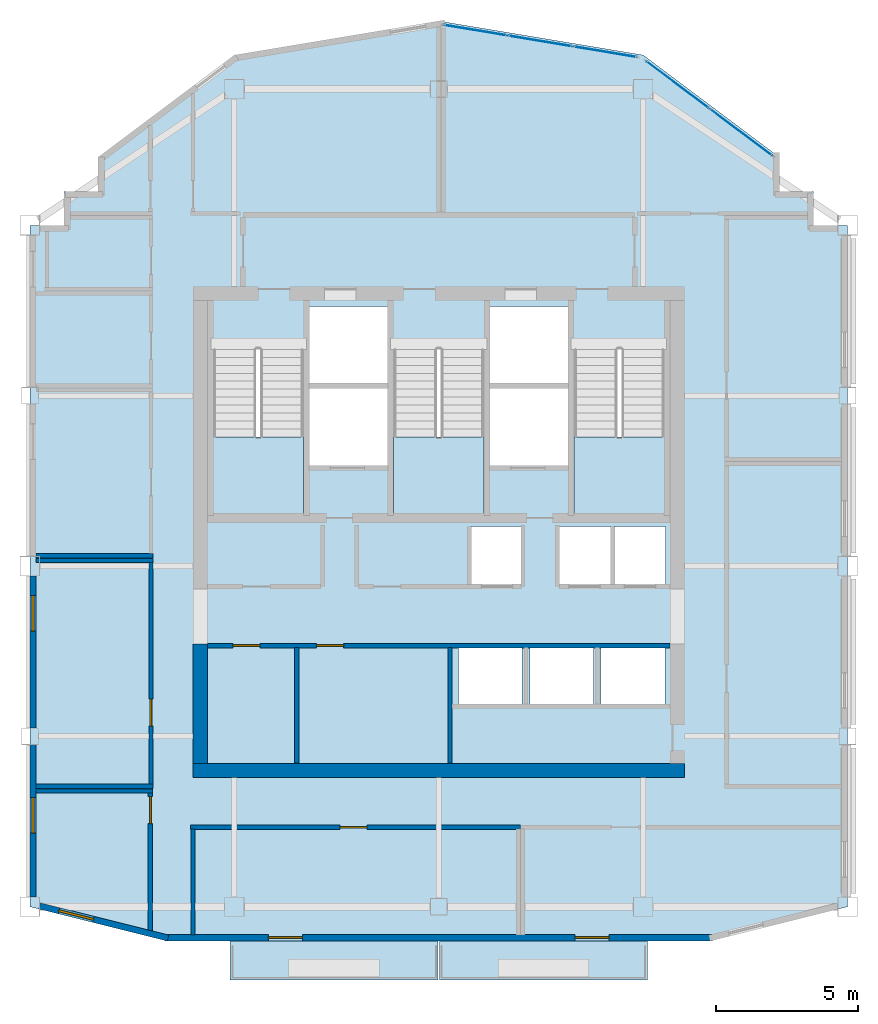
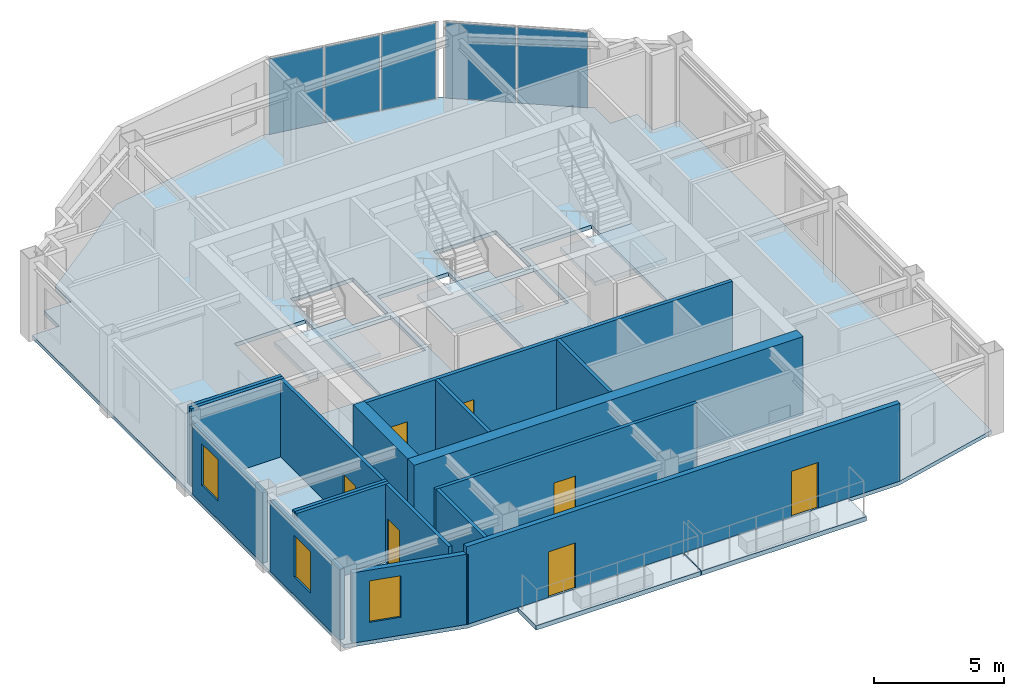
# One storey, part 4 of 8: 17 walls, 7 doors, 6 slabs, 5 plates, 3 windows, 10 openings, 5 elements without a shape of their own.
"""IFC4 building model written with IfcOpenShell, lengths in metres."""

from ifc_helpers import new_model, si_unit, direction, frame, frame_2d, origin, origin_2d, place, context, subcontext, project, spatial, polyline, rectangle, outline, extrude, material, layer, layer_set, type_object, element, fill, aggregate, save


model = new_model("IFC4")

# Units and contexts
model_context = context("Model", 3, precision=1e-05, world=origin(), true_north=direction((0.0, 1.0)))
body_context = subcontext(model_context, "Body", "Model", "MODEL_VIEW")
ifc_project = project(units=[si_unit("LENGTHUNIT", "METRE"), si_unit("AREAUNIT", "SQUARE_METRE"), si_unit("VOLUMEUNIT", "CUBIC_METRE"), si_unit("PLANEANGLEUNIT", "RADIAN"), si_unit("MASSUNIT", "GRAM", prefix="KILO")], contexts=[model_context])

# Site, building, storey
site_placement = place(None, origin())
site = spatial("IfcSite", under=ifc_project, at=site_placement, CompositionType="ELEMENT")
building_placement = place(site_placement, origin())
building = spatial("IfcBuilding", under=site, at=building_placement, Name="Haolan Belvedere Tower", CompositionType="ELEMENT")
storey_placement = place(building_placement, frame((0.0, 0.0, 309.5)))
storey = spatial("IfcBuildingStorey", under=building, at=storey_placement, Name="L78", CompositionType="ELEMENT", Elevation=309.5)

# Curtain wall, plates
ifc_material_1 = material(Name="Anodised champagne-silver aluminium 6063-T6 and Low-E glass", Category="aluminium")
ifc_layer_1 = layer(ifc_material_1, 0.14501953125, Name="Anodised champagne-silver aluminium 6063-T6 and Low-E glass")
ifc_layer_set_1 = layer_set([ifc_layer_1], Name="Anodised champagne-silver aluminium 6063-T6 and Low-E glass")
curtain_wall_type = type_object("IfcCurtainWallType", Name="CW-SYS-05", PredefinedType="NOTDEFINED", material=ifc_layer_set_1)
curtain_wall_1_placement = place(storey_placement, origin())
curtain_wall_1 = element("IfcCurtainWall", 1, at=curtain_wall_1_placement, inside=storey, type_object=curtain_wall_type, Name="L78 CW-SYS-05 ribbon curtain wall 8.1", PredefinedType="NOTDEFINED")
ifc_material_2 = material(Name="Double silver Low-E laminated insulating glass", Category="glass")
ifc_layer_2 = layer(ifc_material_2, 0.02197265625, Name="Double silver Low-E laminated insulating glass")
ifc_layer_set_2 = layer_set([ifc_layer_2], Name="Double silver Low-E laminated insulating glass")
plate_type = type_object("IfcPlateType", Name="CW-SYS-05-PNL", PredefinedType="CURTAIN_PANEL", material=ifc_layer_set_2)
plate_1_placement = place(storey_placement, frame((49.03955078125, 48.8828125, 0.050048828125), z_axis=(0.0, 0.0, 1.0), x_axis=(-0.799997871638, 0.600002837806, 0.0)))
plate_1 = element("IfcPlate", 2, at=plate_1_placement, type_object=plate_type, Name="CW-05 panel 1.1", PredefinedType="CURTAIN_PANEL", context=body_context, shape_type="SweptSolid", body=[
    extrude(rectangle(XDim=2.738037109375, YDim=0.02197265625, at=origin_2d()), origin(), (0.0, 0.0, 1.0), 3.56005859375),
])
plate_2_placement = place(storey_placement, frame((46.805908203125, 50.55810546875, 0.050048828125), z_axis=(0.0, 0.0, 1.0), x_axis=(-0.799997871638, 0.600002837806, 0.0)))
plate_2 = element("IfcPlate", 3, at=plate_2_placement, type_object=plate_type, Name="CW-05 panel 2.1", PredefinedType="CURTAIN_PANEL", context=body_context, shape_type="SweptSolid", body=[
    extrude(rectangle(XDim=2.738037109375, YDim=0.02197265625, at=origin_2d()), origin(), (0.0, 0.0, 1.0), 3.56005859375),
])
aggregate(curtain_wall_1, [plate_1, plate_2])

curtain_wall_2_placement = place(storey_placement, origin())
curtain_wall_2 = element("IfcCurtainWall", 4, at=curtain_wall_2_placement, inside=storey, type_object=curtain_wall_type, Name="L78 CW-SYS-05 ribbon curtain wall 9.1", PredefinedType="NOTDEFINED")
plate_3_placement = place(storey_placement, frame((44.257568359375, 51.712158203125, 0.050048828125), z_axis=(0.0, 0.0, 1.0), x_axis=(-0.98639276122, 0.164405962825, 0.0)))
plate_3 = element("IfcPlate", 5, at=plate_3_placement, type_object=plate_type, Name="CW-05 panel 1.1", PredefinedType="CURTAIN_PANEL", context=body_context, shape_type="SweptSolid", body=[
    extrude(rectangle(XDim=2.24365234375, YDim=0.02197265625, at=origin_2d()), origin(), (0.0, 0.0, 1.0), 3.56005859375),
])
plate_4_placement = place(storey_placement, frame((41.977783203125, 52.09228515625, 0.050048828125), z_axis=(0.0, 0.0, 1.0), x_axis=(-0.98639276122, 0.164405962825, 0.0)))
plate_4 = element("IfcPlate", 6, at=plate_4_placement, type_object=plate_type, Name="CW-05 panel 2.1", PredefinedType="CURTAIN_PANEL", context=body_context, shape_type="SweptSolid", body=[
    extrude(rectangle(XDim=2.270751953125, YDim=0.02197265625, at=origin_2d()), origin(), (0.0, 0.0, 1.0), 3.56005859375),
])
plate_5_placement = place(storey_placement, frame((39.697998046875, 52.47216796875, 0.050048828125), z_axis=(0.0, 0.0, 1.0), x_axis=(-0.98639276122, 0.164405962825, 0.0)))
plate_5 = element("IfcPlate", 7, at=plate_5_placement, type_object=plate_type, Name="CW-05 panel 3.1", PredefinedType="CURTAIN_PANEL", context=body_context, shape_type="SweptSolid", body=[
    extrude(rectangle(XDim=2.24365234375, YDim=0.02197265625, at=origin_2d()), origin(), (0.0, 0.0, 1.0), 3.56005859375),
])
aggregate(curtain_wall_2, [plate_3, plate_4, plate_5])

# Slabs
ifc_material_3 = material(Name="Concrete C40/50", Category="concrete")
ifc_layer_3 = layer(ifc_material_3, 0.2099609375, Name="Concrete C40/50")
ifc_layer_set_3 = layer_set([ifc_layer_3], Name="Concrete C40/50")
slab_type_1 = type_object("IfcSlabType", Name="SL-BAL-210", PredefinedType="FLOOR", material=ifc_layer_set_3)
slab_1_placement = place(storey_placement, frame((0.0, 0.0, -0.22998046875)))
element("IfcSlab", 8, at=slab_1_placement, inside=storey, type_object=slab_type_1, Name="L78 structural tree-planter balcony slab BAL-L78-S1", PredefinedType="FLOOR", context=body_context, shape_type="SweptSolid", body=[
    extrude(outline(polyline([(31.050048828125, 19.02001953125), (38.3798828125, 19.02001953125), (38.3798828125, 20.39990234375), (31.050048828125, 20.39990234375), (31.050048828125, 19.02001953125)])), origin(), (0.0, 0.0, 1.0), 0.2099609375),
])
slab_2_placement = place(storey_placement, frame((0.0, 0.0, -0.22998046875)))
element("IfcSlab", 9, at=slab_2_placement, inside=storey, type_object=slab_type_1, Name="L78 structural tree-planter balcony slab BAL-L78-S2", PredefinedType="FLOOR", context=body_context, shape_type="SweptSolid", body=[
    extrude(outline(polyline([(38.419921875, 19.02001953125), (45.75, 19.02001953125), (45.75, 20.39990234375), (38.419921875, 20.39990234375), (38.419921875, 19.02001953125)])), origin(), (0.0, 0.0, 1.0), 0.2099609375),
])
ifc_layer_4 = layer(ifc_material_3, 0.179931640625, Name="Concrete C40/50")
ifc_layer_set_4 = layer_set([ifc_layer_4], Name="Concrete C40/50")
slab_type_2 = type_object("IfcSlabType", Name="SL-FLR-180", PredefinedType="FLOOR", material=ifc_layer_set_4)
slab_3_placement = place(storey_placement, frame((0.0, 0.0, -0.179931640625)))
element("IfcSlab", 10, at=slab_3_placement, inside=storey, type_object=slab_type_2, Name="L78 structural floor slab", PredefinedType="FLOOR", context=body_context, shape_type="SweptSolid", body=[
    extrude(outline(polyline([(24.0, 21.60009765625), (28.800048828125, 20.39990234375), (48.0, 20.39990234375), (52.800048828125, 21.60009765625), (52.800048828125, 45.60009765625), (52.800048828125, 45.60009765625), (51.60009765625, 45.60009765625), (51.60009765625, 46.800048828125), (50.39990234375, 46.800048828125), (50.39990234375, 48.0), (45.60009765625, 51.60009765625), (38.39990234375, 52.800048828125), (31.199951171875, 51.60009765625), (26.39990234375, 48.0), (26.39990234375, 46.800048828125), (25.199951171875, 46.800048828125), (25.199951171875, 45.60009765625), (24.0, 45.60009765625), (24.0, 45.60009765625), (24.0, 21.60009765625)]), holes=[polyline([(30.449951171875, 41.22998046875), (30.449951171875, 35.449951171875), (33.6298828125, 35.449951171875), (33.6298828125, 41.22998046875), (30.449951171875, 41.22998046875)]), polyline([(36.81005859375, 41.22998046875), (36.81005859375, 35.449951171875), (39.989990234375, 35.449951171875), (39.989990234375, 41.22998046875), (36.81005859375, 41.22998046875)]), polyline([(43.169921875, 41.22998046875), (43.169921875, 35.449951171875), (46.35009765625, 35.449951171875), (46.35009765625, 41.22998046875), (43.169921875, 41.22998046875)]), polyline([(33.830078125, 40.050048828125), (36.610107421875, 40.050048828125), (36.610107421875, 42.75), (33.830078125, 42.75), (33.830078125, 40.050048828125)]), polyline([(33.830078125, 37.14990234375), (36.610107421875, 37.14990234375), (36.610107421875, 39.85009765625), (33.830078125, 39.85009765625), (33.830078125, 37.14990234375)]), polyline([(40.18994140625, 40.050048828125), (42.969970703125, 40.050048828125), (42.969970703125, 42.75), (40.18994140625, 42.75), (40.18994140625, 40.050048828125)]), polyline([(40.18994140625, 37.14990234375), (42.969970703125, 37.14990234375), (42.969970703125, 39.85009765625), (40.18994140625, 39.85009765625), (40.18994140625, 37.14990234375)]), polyline([(39.5400390625, 32.949951171875), (41.389892578125, 32.949951171875), (41.389892578125, 35.0), (39.5400390625, 35.0), (39.5400390625, 32.949951171875)]), polyline([(42.6201171875, 32.949951171875), (44.469970703125, 32.949951171875), (44.469970703125, 35.0), (42.6201171875, 35.0), (42.6201171875, 32.949951171875)]), polyline([(44.580078125, 32.949951171875), (46.3798828125, 32.949951171875), (46.3798828125, 35.0), (44.580078125, 35.0), (44.580078125, 32.949951171875)]), polyline([(39.10009765625, 28.75), (41.340087890625, 28.75), (41.340087890625, 30.75), (39.10009765625, 30.75), (39.10009765625, 28.75)]), polyline([(41.610107421875, 28.75), (43.85009765625, 28.75), (43.85009765625, 30.75), (41.610107421875, 30.75), (41.610107421875, 28.75)]), polyline([(44.1201171875, 28.75), (46.360107421875, 28.75), (46.360107421875, 30.75), (44.1201171875, 30.75), (44.1201171875, 28.75)])]), origin(), (0.0, 0.0, 1.0), 0.179931640625),
])

# Stair, slab
stair_type = type_object("IfcStairType", Name="STR-DL-24R-162", PredefinedType="HALF_TURN_STAIR", material=ifc_material_3)
stair_1_placement = place(storey_placement, origin())
stair_1 = element("IfcStair", 11, at=stair_1_placement, inside=storey, type_object=stair_type, Name="L78 Smokeproof Core Exit Stair ST1", PredefinedType="HALF_TURN_STAIR")
ifc_layer_5 = layer(ifc_material_3, 0.199951171875, Name="Concrete C40/50")
ifc_layer_set_5 = layer_set([ifc_layer_5], Name="Concrete C40/50")
slab_type_3 = type_object("IfcSlabType", Name="SL-LAND-200", PredefinedType="LANDING", material=ifc_layer_set_5)
slab_4_placement = place(storey_placement, frame((0.0, 0.0, 1.75)))
slab_4 = element("IfcSlab", 12, at=slab_4_placement, type_object=slab_type_3, Name="ST1 landing 1", PredefinedType="LANDING", context=body_context, shape_type="SweptSolid", body=[
    extrude(outline(polyline([(30.449951171875, 38.14990234375), (30.449951171875, 35.449951171875), (33.6298828125, 35.449951171875), (33.6298828125, 38.14990234375), (30.449951171875, 38.14990234375)])), origin(), (0.0, 0.0, 1.0), 0.199951171875),
])
aggregate(stair_1, [slab_4])

stair_2_placement = place(storey_placement, origin())
stair_2 = element("IfcStair", 13, at=stair_2_placement, inside=storey, type_object=stair_type, Name="L78 Smokeproof Core Exit Stair ST3", PredefinedType="HALF_TURN_STAIR")
slab_5_placement = place(storey_placement, frame((0.0, 0.0, 1.75)))
slab_5 = element("IfcSlab", 14, at=slab_5_placement, type_object=slab_type_3, Name="ST3 landing 1", PredefinedType="LANDING", context=body_context, shape_type="SweptSolid", body=[
    extrude(outline(polyline([(36.81005859375, 38.14990234375), (36.81005859375, 35.449951171875), (39.989990234375, 35.449951171875), (39.989990234375, 38.14990234375), (36.81005859375, 38.14990234375)])), origin(), (0.0, 0.0, 1.0), 0.199951171875),
])
aggregate(stair_2, [slab_5])

stair_3_placement = place(storey_placement, origin())
stair_3 = element("IfcStair", 15, at=stair_3_placement, inside=storey, type_object=stair_type, Name="L78 Smokeproof Core Exit Stair ST2", PredefinedType="HALF_TURN_STAIR")
slab_6_placement = place(storey_placement, frame((0.0, 0.0, 1.75)))
slab_6 = element("IfcSlab", 16, at=slab_6_placement, type_object=slab_type_3, Name="ST2 landing 1", PredefinedType="LANDING", context=body_context, shape_type="SweptSolid", body=[
    extrude(outline(polyline([(43.169921875, 38.14990234375), (43.169921875, 35.449951171875), (46.35009765625, 35.449951171875), (46.35009765625, 38.14990234375), (43.169921875, 38.14990234375)])), origin(), (0.0, 0.0, 1.0), 0.199951171875),
])
aggregate(stair_3, [slab_6])

# Walls
ifc_material_4 = material(Name="Concrete C50/60", Category="concrete")
ifc_layer_6 = layer(ifc_material_4, 0.5, Name="Concrete C50/60")
ifc_layer_set_6 = layer_set([ifc_layer_6], Name="Concrete C50/60")
wall_type_1 = type_object("IfcWallType", Name="WL-CORE-500", PredefinedType="SHEAR", material=ifc_layer_set_6)
wall_1_placement = place(storey_placement, frame((29.75, 26.39990234375, 0.0), z_axis=(0.0, 0.0, 1.0), x_axis=(1.0, 0.0, 0.0)))
element("IfcWall", 17, at=wall_1_placement, inside=storey, type_object=wall_type_1, Name="L78 central core south shear wall", PredefinedType="SHEAR", context=body_context, shape_type="SweptSolid", body=[
    extrude(rectangle(XDim=17.300048828125, YDim=0.5, at=frame_2d((8.64990234375, 0.0))), origin(), (0.0, 0.0, 1.0), 3.659912109375),
])
wall_2_placement = place(storey_placement, frame((30.0, 26.64990234375, 0.0), z_axis=(0.0, 0.0, 1.0), x_axis=(0.0, 1.0, 0.0)))
element("IfcWall", 18, at=wall_2_placement, inside=storey, type_object=wall_type_1, Name="L78 central core shear wall WS", PredefinedType="SHEAR", context=body_context, shape_type="SweptSolid", body=[
    extrude(rectangle(XDim=4.2001953125, YDim=0.5, at=frame_2d((2.10009765625, 0.0))), origin(), (0.0, 0.0, 1.0), 3.659912109375),
])

# Wall, openings, doors
ifc_material_5 = material(Name="Precast concrete C40/50", Category="concrete")
ifc_layer_7 = layer(ifc_material_5, 0.219970703125, Name="Precast concrete C40/50")
ifc_layer_set_7 = layer_set([ifc_layer_7], Name="Precast concrete C40/50")
wall_type_2 = type_object("IfcWallType", Name="WL-EXT-220", PredefinedType="SOLIDWALL", material=ifc_layer_set_7)
wall_3_placement = place(storey_placement, frame((28.758544921875, 20.510009765625, 0.0), z_axis=(0.0, 0.0, 1.0), x_axis=(1.0, 0.0, 0.0)))
wall_3 = element("IfcWall", 19, at=wall_3_placement, inside=storey, type_object=wall_type_2, Name="L78 pale-metal exterior spandrel wall 1.1", PredefinedType="SOLIDWALL", context=body_context, shape_type="SweptSolid", body=[
    extrude(rectangle(XDim=19.282958984375, YDim=0.219970703125, at=frame_2d((9.6416015625, 0.0))), origin(), (0.0, 0.0, 1.0), 3.659912109375),
])
opening_1_placement = place(wall_3_placement, frame((4.841552734375, 0.0, 0.0), z_axis=(0.0, 0.0, 1.0), x_axis=(-1.0, 0.0, 0.0)))
opening_1 = element("IfcOpeningElement", 20, at=opening_1_placement, cuts=wall_3, Name="Opening BD-01", PredefinedType="OPENING", context=body_context, shape_type="SweptSolid", body=[
    extrude(rectangle(XDim=1.199951171875, YDim=2.14990234375, at=frame_2d((0.60009765625, 1.074951171875))), frame((0.0, 0.119873046875, 0.0), z_axis=(0.0, -1.0, 0.0), x_axis=(1.0, 0.0, 0.0)), (0.0, 0.0, 1.0), 0.239990234375),
])
opening_2_placement = place(wall_3_placement, frame((15.641357421875, 0.0, 0.0), z_axis=(0.0, 0.0, 1.0), x_axis=(-1.0, 0.0, 0.0)))
opening_2 = element("IfcOpeningElement", 21, at=opening_2_placement, cuts=wall_3, Name="Opening BD-01", PredefinedType="OPENING", context=body_context, shape_type="SweptSolid", body=[
    extrude(rectangle(XDim=1.199951171875, YDim=2.14990234375, at=frame_2d((0.60009765625, 1.074951171875))), frame((0.0, 0.119873046875, 0.0), z_axis=(0.0, -1.0, 0.0), x_axis=(1.0, 0.0, 0.0)), (0.0, 0.0, 1.0), 0.239990234375),
])
ifc_material_6 = material(Name="Thermally broken pale-metal aluminium and Low-E glass", Category="aluminium")
door_type_1 = type_object("IfcDoorType", Name="DR-BAL-1200", OperationType="NOTDEFINED", PredefinedType="DOOR", material=ifc_material_6)
door_1_placement = place(opening_1_placement, origin())
door_1 = element("IfcDoor", 22, at=door_1_placement, inside=storey, type_object=door_type_1, Name="L78 tree-balcony access door 1", OperationType="SINGLE_SWING_RIGHT", OverallHeight=2.14990234375, OverallWidth=1.199951171875, PredefinedType="DOOR", context=body_context, shape_type="SweptSolid", body=[
    extrude(rectangle(XDim=1.199951171875, YDim=2.14990234375, at=frame_2d((0.60009765625, 1.074951171875))), frame((0.0, 0.02490234375, 0.0), z_axis=(0.0, -1.0, 0.0), x_axis=(1.0, 0.0, 0.0)), (0.0, 0.0, 1.0), 0.050048828125),
])
fill(opening_1, door_1)
door_2_placement = place(opening_2_placement, origin())
door_2 = element("IfcDoor", 23, at=door_2_placement, inside=storey, type_object=door_type_1, Name="L78 tree-balcony access door 2", OperationType="SINGLE_SWING_LEFT", OverallHeight=2.14990234375, OverallWidth=1.199951171875, PredefinedType="DOOR", context=body_context, shape_type="SweptSolid", body=[
    extrude(rectangle(XDim=1.199951171875, YDim=2.14990234375, at=frame_2d((0.60009765625, 1.074951171875))), frame((0.0, 0.02490234375, 0.0), z_axis=(0.0, -1.0, 0.0), x_axis=(1.0, 0.0, 0.0)), (0.0, 0.0, 1.0), 0.050048828125),
])
fill(opening_2, door_2)

# Wall, opening, window
wall_4_placement = place(storey_placement, frame((24.110107421875, 33.258056640625, 0.0), z_axis=(0.0, 0.0, 1.0), x_axis=(0.0, -1.0, 0.0)))
wall_4 = element("IfcWall", 24, at=wall_4_placement, inside=storey, type_object=wall_type_2, Name="L78 pale-metal exterior spandrel wall 16.3", PredefinedType="SOLIDWALL", context=body_context, shape_type="SweptSolid", body=[
    extrude(rectangle(XDim=5.365966796875, YDim=0.219970703125, at=frame_2d((2.68310546875, 0.0))), origin(), (0.0, 0.0, 1.0), 3.304931640625),
])
opening_3_placement = place(wall_4_placement, frame((0.699951171875, 0.0, 0.85009765625)))
opening_3 = element("IfcOpeningElement", 25, at=opening_3_placement, cuts=wall_4, Name="Opening W-04", PredefinedType="OPENING", context=body_context, shape_type="SweptSolid", body=[
    extrude(rectangle(XDim=1.25, YDim=1.949951171875, at=frame_2d((0.625, 0.97509765625))), frame((0.0, 0.119873046875, 0.0), z_axis=(0.0, -1.0, 0.0), x_axis=(1.0, 0.0, 0.0)), (0.0, 0.0, 1.0), 0.239990234375),
])
ifc_material_7 = material(Name="Anodised aluminium 6063-T6 and Low-E glass", Category="aluminium")
window_type = type_object("IfcWindowType", Name="WN-DECO-Z4", PartitioningType="SINGLE_PANEL", PredefinedType="WINDOW", material=ifc_material_7)
window_1_placement = place(opening_3_placement, origin())
window_1 = element("IfcWindow", 26, at=window_1_placement, inside=storey, type_object=window_type, Name="L78 Art Deco chevron window 1", OverallHeight=1.949951171875, OverallWidth=1.25, PartitioningType="SINGLE_PANEL", PredefinedType="WINDOW", context=body_context, shape_type="SweptSolid", body=[
    extrude(rectangle(XDim=1.25, YDim=1.949951171875, at=frame_2d((0.625, 0.97509765625))), frame((0.0, 0.030029296875, 0.0), z_axis=(0.0, -1.0, 0.0), x_axis=(1.0, 0.0, 0.0)), (0.0, 0.0, 1.0), 0.06005859375),
])
fill(opening_3, window_1)

wall_5_placement = place(storey_placement, frame((24.110107421875, 27.30810546875, 0.0), z_axis=(0.0, 0.0, 1.0), x_axis=(0.0, -1.0, 0.0)))
wall_5 = element("IfcWall", 27, at=wall_5_placement, inside=storey, type_object=wall_type_2, Name="L78 pale-metal exterior spandrel wall 16.4", PredefinedType="SOLIDWALL", context=body_context, shape_type="SweptSolid", body=[
    extrude(rectangle(XDim=5.3662109375, YDim=0.219970703125, at=frame_2d((2.68310546875, 0.0))), origin(), (0.0, 0.0, 1.0), 3.304931640625),
])
opening_4_placement = place(wall_5_placement, frame((1.863037109375, 0.0, 0.85009765625)))
opening_4 = element("IfcOpeningElement", 28, at=opening_4_placement, cuts=wall_5, Name="Opening W-04", PredefinedType="OPENING", context=body_context, shape_type="SweptSolid", body=[
    extrude(rectangle(XDim=1.25, YDim=1.949951171875, at=frame_2d((0.625, 0.97509765625))), frame((0.0, 0.119873046875, 0.0), z_axis=(0.0, -1.0, 0.0), x_axis=(1.0, 0.0, 0.0)), (0.0, 0.0, 1.0), 0.239990234375),
])
window_2_placement = place(opening_4_placement, origin())
window_2 = element("IfcWindow", 29, at=window_2_placement, inside=storey, type_object=window_type, Name="L78 Art Deco chevron window 1", OverallHeight=1.949951171875, OverallWidth=1.25, PartitioningType="SINGLE_PANEL", PredefinedType="WINDOW", context=body_context, shape_type="SweptSolid", body=[
    extrude(rectangle(XDim=1.25, YDim=1.949951171875, at=frame_2d((0.625, 0.97509765625))), frame((0.0, 0.030029296875, 0.0), z_axis=(0.0, -1.0, 0.0), x_axis=(1.0, 0.0, 0.0)), (0.0, 0.0, 1.0), 0.06005859375),
])
fill(opening_4, window_2)

wall_6_placement = place(storey_placement, frame((24.342041015625, 21.6279296875, 0.0), z_axis=(0.0, 0.0, 1.0), x_axis=(0.970136341762, -0.242560257242, 0.0)))
wall_6 = element("IfcWall", 30, at=wall_6_placement, inside=storey, type_object=wall_type_2, Name="L78 pale-metal exterior spandrel wall 17.1", PredefinedType="SOLIDWALL", context=body_context, shape_type="SweptSolid", body=[
    extrude(rectangle(XDim=4.664306640625, YDim=0.219970703125, at=frame_2d((2.33203125, 0.0))), origin(), (0.0, 0.0, 1.0), 3.304931640625),
])
opening_5_placement = place(wall_6_placement, frame((0.699951171875, 0.0, 0.85009765625)))
opening_5 = element("IfcOpeningElement", 31, at=opening_5_placement, cuts=wall_6, Name="Opening W-04", PredefinedType="OPENING", context=body_context, shape_type="SweptSolid", body=[
    extrude(rectangle(XDim=1.25, YDim=1.949951171875, at=frame_2d((0.625, 0.97509765625))), frame((0.0, 0.119873046875, 0.0), z_axis=(0.0, -1.0, 0.0), x_axis=(1.0, 0.0, 0.0)), (0.0, 0.0, 1.0), 0.239990234375),
])
window_3_placement = place(opening_5_placement, origin())
window_3 = element("IfcWindow", 32, at=window_3_placement, inside=storey, type_object=window_type, Name="L78 Art Deco chevron window 1", OverallHeight=1.949951171875, OverallWidth=1.25, PartitioningType="SINGLE_PANEL", PredefinedType="WINDOW", context=body_context, shape_type="SweptSolid", body=[
    extrude(rectangle(XDim=1.25, YDim=1.949951171875, at=frame_2d((0.625, 0.97509765625))), frame((0.0, 0.030029296875, 0.0), z_axis=(0.0, -1.0, 0.0), x_axis=(1.0, 0.0, 0.0)), (0.0, 0.0, 1.0), 0.06005859375),
])
fill(opening_5, window_3)

# Walls
ifc_material_8 = material(Name="Double gypsum acoustic stud partition", Category="masonry")
ifc_layer_8 = layer(ifc_material_8, 0.14990234375, Name="Double gypsum acoustic stud partition")
ifc_layer_set_8 = layer_set([ifc_layer_8], Name="Double gypsum acoustic stud partition")
wall_type_3 = type_object("IfcWallType", Name="WL-PART-150", PredefinedType="PARTITIONING", material=ifc_layer_set_8)
wall_7_placement = place(storey_placement, frame((33.39990234375, 26.659912109375, 0.0), z_axis=(0.0, 0.0, 1.0), x_axis=(0.0, 1.0, 0.0)))
element("IfcWall", 33, at=wall_7_placement, inside=storey, type_object=wall_type_3, Name="L78 interior partition IW-L78-DIV-REUSE-PM", PredefinedType="PARTITIONING", context=body_context, shape_type="SweptSolid", body=[
    extrude(rectangle(XDim=4.0751953125, YDim=0.14990234375, at=frame_2d((2.03759765625, 0.0))), origin(), (0.0, 0.0, 1.0), 3.659912109375),
])
for number, where, z_axis, x_axis, name in (
    (34, (24.2119140625, 33.800048828125, 0.0), (0.0, 0.0, 1.0), (1.0, 0.0, 0.0), "L78 interior partition IW-L78-PH-LIBW-N"),
    (35, (24.2119140625, 25.840087890625, 0.0), (0.0, 0.0, 1.0), (1.0, 0.0, 0.0), "L78 interior partition IW-L78-PH-LIBW-S"),
):
    element("IfcWall", number, at=place(storey_placement, frame(where, z_axis=z_axis, x_axis=x_axis)), inside=storey, type_object=wall_type_3, Name=name, PredefinedType="PARTITIONING", context=body_context, shape_type="SweptSolid", body=[
        extrude(rectangle(XDim=4.128173828125, YDim=0.14990234375, at=frame_2d((2.06396484375, 0.0))), origin(), (0.0, 0.0, 1.0), 3.659912109375),
    ])

# Wall, opening, door
wall_8_placement = place(storey_placement, frame((28.260009765625, 25.89990234375, 0.0), z_axis=(0.0, 0.0, 1.0), x_axis=(0.0, 1.0, 0.0)))
wall_8 = element("IfcWall", 36, at=wall_8_placement, inside=storey, type_object=wall_type_3, Name="L78 interior partition IW-L78-PH-LIBW-E", PredefinedType="PARTITIONING", context=body_context, shape_type="SweptSolid", body=[
    extrude(rectangle(XDim=7.840087890625, YDim=0.14990234375, at=frame_2d((3.919921875, 0.0))), origin(), (0.0, 0.0, 1.0), 3.659912109375),
])
opening_6_placement = place(wall_8_placement, frame((3.010009765625, 0.0, 0.0), z_axis=(0.0, 0.0, 1.0), x_axis=(-1.0, 0.0, 0.0)))
opening_6 = element("IfcOpeningElement", 37, at=opening_6_placement, cuts=wall_8, Name="Opening ID-03", PredefinedType="OPENING", context=body_context, shape_type="SweptSolid", body=[
    extrude(rectangle(XDim=0.949951171875, YDim=2.1201171875, at=frame_2d((0.47509765625, 1.06005859375))), frame((0.0, 0.0849609375, 0.0), z_axis=(0.0, -1.0, 0.0), x_axis=(1.0, 0.0, 0.0)), (0.0, 0.0, 1.0), 0.169921875),
])
ifc_material_9 = material(Name="Painted solid-core timber", Category="wood")
door_type_2 = type_object("IfcDoorType", Name="DR-INT-950", OperationType="NOTDEFINED", PredefinedType="DOOR", material=ifc_material_9)
door_3_placement = place(opening_6_placement, origin())
door_3 = element("IfcDoor", 38, at=door_3_placement, inside=storey, type_object=door_type_2, Name="L78 door ID-L78-PH-LIBW", OperationType="SINGLE_SWING_LEFT", OverallHeight=2.1201171875, OverallWidth=0.949951171875, PredefinedType="DOOR", context=body_context, shape_type="SweptSolid", body=[
    extrude(rectangle(XDim=0.949951171875, YDim=2.1201171875, at=frame_2d((0.47509765625, 1.06005859375))), frame((0.0, 0.02490234375, 0.0), z_axis=(0.0, -1.0, 0.0), x_axis=(1.0, 0.0, 0.0)), (0.0, 0.0, 1.0), 0.050048828125),
])
fill(opening_6, door_3)

# Wall
wall_9_placement = place(storey_placement, frame((24.2119140625, 33.9599609375, 0.0), z_axis=(0.0, 0.0, 1.0), x_axis=(1.0, 0.0, 0.0)))
element("IfcWall", 39, at=wall_9_placement, inside=storey, type_object=wall_type_3, Name="L78 interior partition IW-L78-PH-TERW-S", PredefinedType="PARTITIONING", context=body_context, shape_type="SweptSolid", body=[
    extrude(rectangle(XDim=4.128173828125, YDim=0.14990234375, at=frame_2d((2.06396484375, 0.0))), origin(), (0.0, 0.0, 1.0), 3.659912109375),
])

# Wall, opening, door
wall_10_placement = place(storey_placement, frame((29.659912109375, 24.39990234375, 0.0), z_axis=(0.0, 0.0, 1.0), x_axis=(1.0, 0.0, 0.0)))
wall_10 = element("IfcWall", 40, at=wall_10_placement, inside=storey, type_object=wall_type_3, Name="L78 interior partition IW-L78-PHS1-N", PredefinedType="PARTITIONING", context=body_context, shape_type="SweptSolid", body=[
    extrude(rectangle(XDim=11.6201171875, YDim=0.14990234375, at=frame_2d((5.81005859375, 0.0))), origin(), (0.0, 0.0, 1.0), 3.659912109375),
])
opening_7_placement = place(wall_10_placement, frame((6.204833984375, 0.0, 0.0), z_axis=(0.0, 0.0, 1.0), x_axis=(-1.0, 0.0, 0.0)))
opening_7 = element("IfcOpeningElement", 41, at=opening_7_placement, cuts=wall_10, Name="Opening ID-03", PredefinedType="OPENING", context=body_context, shape_type="SweptSolid", body=[
    extrude(rectangle(XDim=0.949951171875, YDim=2.1201171875, at=frame_2d((0.47509765625, 1.06005859375))), frame((0.0, 0.0849609375, 0.0), z_axis=(0.0, -1.0, 0.0), x_axis=(1.0, 0.0, 0.0)), (0.0, 0.0, 1.0), 0.169921875),
])
door_4_placement = place(opening_7_placement, origin())
door_4 = element("IfcDoor", 42, at=door_4_placement, inside=storey, type_object=door_type_2, Name="L78 door ID-L78-PHS1", OperationType="SINGLE_SWING_RIGHT", OverallHeight=2.1201171875, OverallWidth=0.949951171875, PredefinedType="DOOR", context=body_context, shape_type="SweptSolid", body=[
    extrude(rectangle(XDim=0.949951171875, YDim=2.1201171875, at=frame_2d((0.47509765625, 1.06005859375))), frame((0.0, 0.02490234375, 0.0), z_axis=(0.0, -1.0, 0.0), x_axis=(1.0, 0.0, 0.0)), (0.0, 0.0, 1.0), 0.050048828125),
])
fill(opening_7, door_4)

# Walls
wall_11_placement = place(storey_placement, frame((29.739990234375, 20.612060546875, 0.0), z_axis=(0.0, 0.0, 1.0), x_axis=(0.0, 1.0, 0.0)))
element("IfcWall", 43, at=wall_11_placement, inside=storey, type_object=wall_type_3, Name="L78 interior partition IW-L78-PHS1-W", PredefinedType="PARTITIONING", context=body_context, shape_type="SweptSolid", body=[
    extrude(rectangle(XDim=3.72802734375, YDim=0.14990234375, at=frame_2d((1.864013671875, 0.0))), origin(), (0.0, 0.0, 1.0), 3.659912109375),
])
wall_12_placement = place(storey_placement, frame((24.2119140625, 25.679931640625, 0.0), z_axis=(0.0, 0.0, 1.0), x_axis=(1.0, 0.0, 0.0)))
element("IfcWall", 44, at=wall_12_placement, inside=storey, type_object=wall_type_3, Name="L78 interior partition IW-L78-PH-GALW-N", PredefinedType="PARTITIONING", context=body_context, shape_type="SweptSolid", body=[
    extrude(rectangle(XDim=4.108154296875, YDim=0.14990234375, at=frame_2d((2.05419921875, 0.0))), origin(), (0.0, 0.0, 1.0), 3.659912109375),
])

# Wall, opening, door
wall_13_placement = place(storey_placement, frame((28.239990234375, 20.758544921875, 0.0), z_axis=(0.0, 0.0, 1.0), x_axis=(0.0, 1.0, 0.0)))
wall_13 = element("IfcWall", 45, at=wall_13_placement, inside=storey, type_object=wall_type_3, Name="L78 interior partition IW-L78-PH-GALW-E", PredefinedType="PARTITIONING", context=body_context, shape_type="SweptSolid", body=[
    extrude(rectangle(XDim=4.861572265625, YDim=0.14990234375, at=frame_2d((2.4306640625, 0.0))), origin(), (0.0, 0.0, 1.0), 3.659912109375),
])
opening_8_placement = place(wall_13_placement, frame((4.721435546875, 0.0, 0.0), z_axis=(0.0, 0.0, 1.0), x_axis=(-1.0, 0.0, 0.0)))
opening_8 = element("IfcOpeningElement", 46, at=opening_8_placement, cuts=wall_13, Name="Opening ID-03", PredefinedType="OPENING", context=body_context, shape_type="SweptSolid", body=[
    extrude(rectangle(XDim=0.949951171875, YDim=2.1201171875, at=frame_2d((0.47509765625, 1.06005859375))), frame((0.0, 0.0849609375, 0.0), z_axis=(0.0, -1.0, 0.0), x_axis=(1.0, 0.0, 0.0)), (0.0, 0.0, 1.0), 0.169921875),
])
door_5_placement = place(opening_8_placement, origin())
door_5 = element("IfcDoor", 47, at=door_5_placement, inside=storey, type_object=door_type_2, Name="L78 door ID-L78-PH-GALW", OperationType="SINGLE_SWING_LEFT", OverallHeight=2.1201171875, OverallWidth=0.949951171875, PredefinedType="DOOR", context=body_context, shape_type="SweptSolid", body=[
    extrude(rectangle(XDim=0.949951171875, YDim=2.1201171875, at=frame_2d((0.47509765625, 1.06005859375))), frame((0.0, 0.02490234375, 0.0), z_axis=(0.0, -1.0, 0.0), x_axis=(1.0, 0.0, 0.0)), (0.0, 0.0, 1.0), 0.050048828125),
])
fill(opening_8, door_5)

# Wall, openings, doors
ifc_material_10 = material(Name="Gypsum fire shaftwall assembly", Category="masonry")
ifc_layer_9 = layer(ifc_material_10, 0.1650390625, Name="Gypsum fire shaftwall assembly")
ifc_layer_set_9 = layer_set([ifc_layer_9], Name="Gypsum fire shaftwall assembly")
wall_type_4 = type_object("IfcWallType", Name="WL-SHAFT-160", PredefinedType="SOLIDWALL", material=ifc_layer_set_9)
wall_14_placement = place(storey_placement, frame((30.25, 30.800048828125, 0.0), z_axis=(0.0, 0.0, 1.0), x_axis=(1.0, 0.0, 0.0)))
wall_14 = element("IfcWall", 48, at=wall_14_placement, inside=storey, type_object=wall_type_4, Name="L78 interior partition IW-L78-ROW-PS", PredefinedType="SOLIDWALL", context=body_context, shape_type="SweptSolid", body=[
    extrude(rectangle(XDim=16.300048828125, YDim=0.159912109375, at=frame_2d((8.14990234375, 0.0))), origin(), (0.0, 0.0, 1.0), 3.659912109375),
])
opening_9_placement = place(wall_14_placement, frame((0.89990234375, 0.0, 0.0)))
opening_9 = element("IfcOpeningElement", 49, at=opening_9_placement, cuts=wall_14, Name="Opening ID-03", PredefinedType="OPENING", context=body_context, shape_type="SweptSolid", body=[
    extrude(rectangle(XDim=0.949951171875, YDim=2.1201171875, at=frame_2d((0.47509765625, 1.06005859375))), frame((0.0, 0.08984375, 0.0), z_axis=(0.0, -1.0, 0.0), x_axis=(1.0, 0.0, 0.0)), (0.0, 0.0, 1.0), 0.179931640625),
])
opening_10_placement = place(wall_14_placement, frame((3.85009765625, 0.0, 0.0)))
opening_10 = element("IfcOpeningElement", 50, at=opening_10_placement, cuts=wall_14, Name="Opening ID-03", PredefinedType="OPENING", context=body_context, shape_type="SweptSolid", body=[
    extrude(rectangle(XDim=0.949951171875, YDim=2.1201171875, at=frame_2d((0.47509765625, 1.06005859375))), frame((0.0, 0.08984375, 0.0), z_axis=(0.0, -1.0, 0.0), x_axis=(1.0, 0.0, 0.0)), (0.0, 0.0, 1.0), 0.179931640625),
])
door_6_placement = place(opening_9_placement, origin())
door_6 = element("IfcDoor", 51, at=door_6_placement, inside=storey, type_object=door_type_2, Name="L78 door ID-L78-CD-RPMA", OperationType="SINGLE_SWING_LEFT", OverallHeight=2.1201171875, OverallWidth=0.949951171875, PredefinedType="DOOR", context=body_context, shape_type="SweptSolid", body=[
    extrude(rectangle(XDim=0.949951171875, YDim=2.1201171875, at=frame_2d((0.47509765625, 1.06005859375))), frame((0.0, 0.02490234375, 0.0), z_axis=(0.0, -1.0, 0.0), x_axis=(1.0, 0.0, 0.0)), (0.0, 0.0, 1.0), 0.050048828125),
])
fill(opening_9, door_6)
door_7_placement = place(opening_10_placement, origin())
door_7 = element("IfcDoor", 52, at=door_7_placement, inside=storey, type_object=door_type_2, Name="L78 door ID-L78-CD-RPMB", OperationType="SINGLE_SWING_RIGHT", OverallHeight=2.1201171875, OverallWidth=0.949951171875, PredefinedType="DOOR", context=body_context, shape_type="SweptSolid", body=[
    extrude(rectangle(XDim=0.949951171875, YDim=2.1201171875, at=frame_2d((0.47509765625, 1.06005859375))), frame((0.0, 0.02490234375, 0.0), z_axis=(0.0, -1.0, 0.0), x_axis=(1.0, 0.0, 0.0)), (0.0, 0.0, 1.0), 0.050048828125),
])
fill(opening_10, door_7)

# Wall
wall_15_placement = place(storey_placement, frame((38.800048828125, 26.659912109375, 0.0), z_axis=(0.0, 0.0, 1.0), x_axis=(0.0, 1.0, 0.0)))
element("IfcWall", 53, at=wall_15_placement, inside=storey, type_object=wall_type_4, Name="L78 interior partition IW-L78-DIV-PM-OB", PredefinedType="SOLIDWALL", context=body_context, shape_type="SweptSolid", body=[
    extrude(rectangle(XDim=4.0751953125, YDim=0.14990234375, at=frame_2d((2.03759765625, 0.0))), origin(), (0.0, 0.0, 1.0), 3.659912109375),
])

save(model, "model.ifc")
